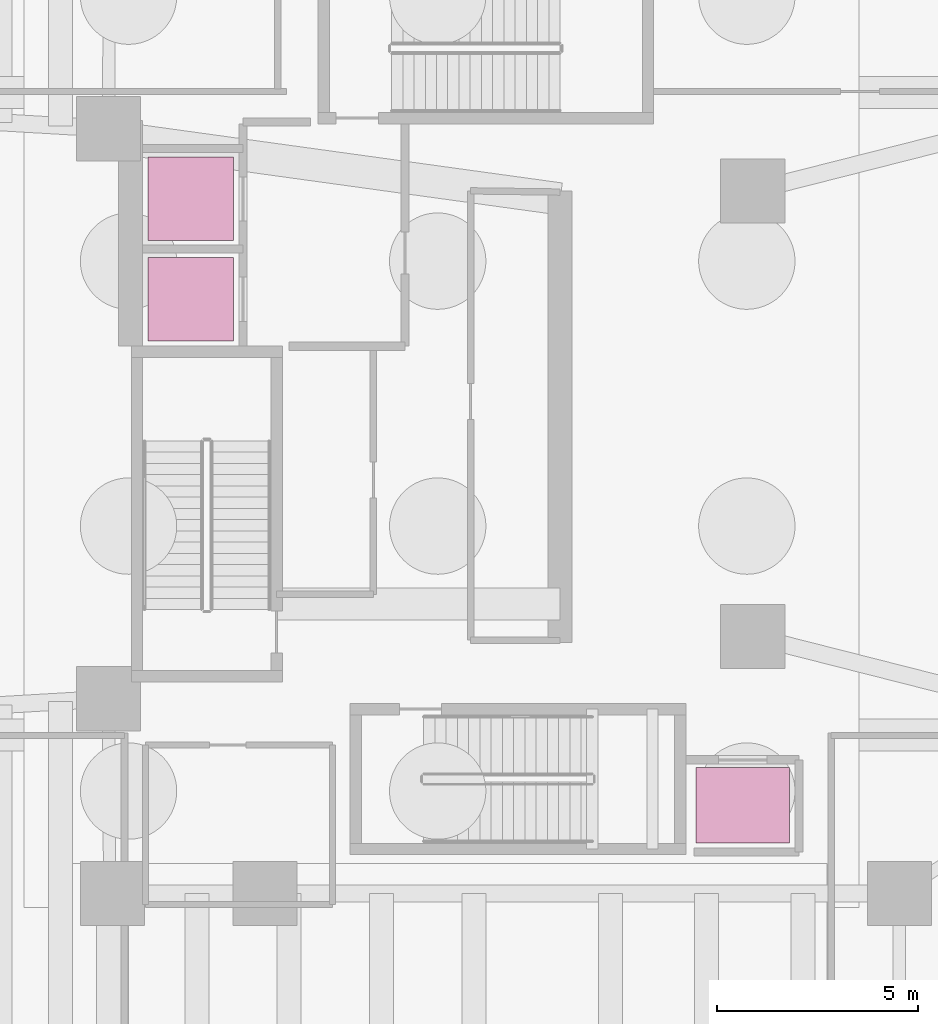
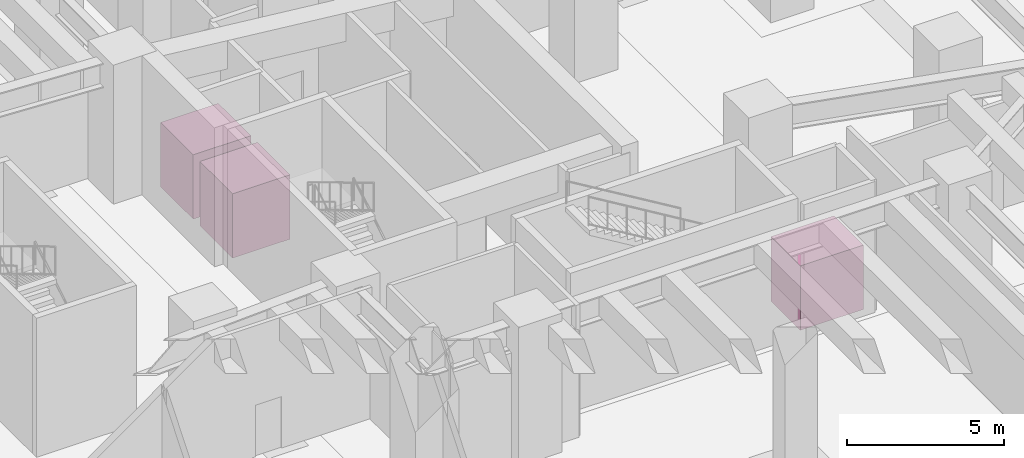
# One storey, part 10 of 10: 3 transport elements.
"""IFC4 building model written with IfcOpenShell, lengths in metres."""

from ifc_helpers import new_model, si_unit, direction, frame, origin, origin_2d, place, context, subcontext, project, spatial, rectangle, extrude, material, type_object, element, save


model = new_model("IFC4")

# Units and contexts
model_context = context("Model", 3, precision=1e-05, world=origin(), true_north=direction((0.0, 1.0)))
body_context = subcontext(model_context, "Body", "Model", "MODEL_VIEW")
ifc_project = project(units=[si_unit("LENGTHUNIT", "METRE"), si_unit("AREAUNIT", "SQUARE_METRE"), si_unit("VOLUMEUNIT", "CUBIC_METRE"), si_unit("PLANEANGLEUNIT", "RADIAN"), si_unit("MASSUNIT", "GRAM", prefix="KILO"), si_unit("THERMODYNAMICTEMPERATUREUNIT", "KELVIN"), si_unit("POWERUNIT", "WATT")], contexts=[model_context])

# Site, building, storey
site_placement = place(None, origin())
site = spatial("IfcSite", under=ifc_project, at=site_placement, CompositionType="ELEMENT")
building_placement = place(site_placement, origin())
building = spatial("IfcBuilding", under=site, at=building_placement, Name="Skarre Station Tower", CompositionType="ELEMENT")
storey_placement = place(building_placement, frame((0.0, 0.0, -10.199951171875)))
storey = spatial("IfcBuildingStorey", under=building, at=storey_placement, Name="B02", CompositionType="ELEMENT", Elevation=-10.199951171875)

# Transport elements
ifc_material_1 = material(Name="Fire-Rated Brushed Stainless Steel Grade 316L Cab", Category="steel")
transport_element_type_1 = type_object("IfcTransportElementType", Name="Fire Service Access Stretcher Elevator 2000 kg", PredefinedType="ELEVATOR", material=ifc_material_1)
for number, where, z_axis, x_axis, name in (
    (1, (18.35009765625, 26.85009765625, 0.0), (0.0, 0.0, 1.0), (1.0, 0.0, 0.0), "Fire Service Access Elevator LF-FF1"),
    (2, (18.35009765625, 29.35009765625, 0.0), (0.0, 0.0, 1.0), (1.0, 0.0, 0.0), "Fire Service Access Elevator LF-FF2"),
):
    element("IfcTransportElement", number, at=place(storey_placement, frame(where, z_axis=z_axis, x_axis=x_axis)), inside=storey, type_object=transport_element_type_1, Name=name, PredefinedType="ELEVATOR", context=body_context, shape_type="SweptSolid", body=[
        extrude(rectangle(XDim=2.1201171875, YDim=2.080078125, at=origin_2d()), origin(), (0.0, 0.0, 1.0), 2.5),
    ])
ifc_material_2 = material(Name="Heavy-Duty Checkered Stainless Steel Freight Cab", Category="steel")
transport_element_type_2 = type_object("IfcTransportElementType", Name="Heavy Freight & Stretcher Service Elevator 2500 kg", PredefinedType="ELEVATOR", material=ifc_material_2)
transport_element_placement = place(storey_placement, frame((32.10009765625, 14.25, 0.0), z_axis=(0.0, 0.0, 1.0), x_axis=(1.0, 0.0, 0.0)))
element("IfcTransportElement", 3, at=transport_element_placement, inside=storey, type_object=transport_element_type_2, Name="Heavy Service & Stretcher Elevator LF-SV1", PredefinedType="ELEVATOR", context=body_context, shape_type="SweptSolid", body=[
    extrude(rectangle(XDim=2.320068359375, YDim=1.8798828125, at=origin_2d()), origin(), (0.0, 0.0, 1.0), 2.5),
])

save(model, "model.ifc")
